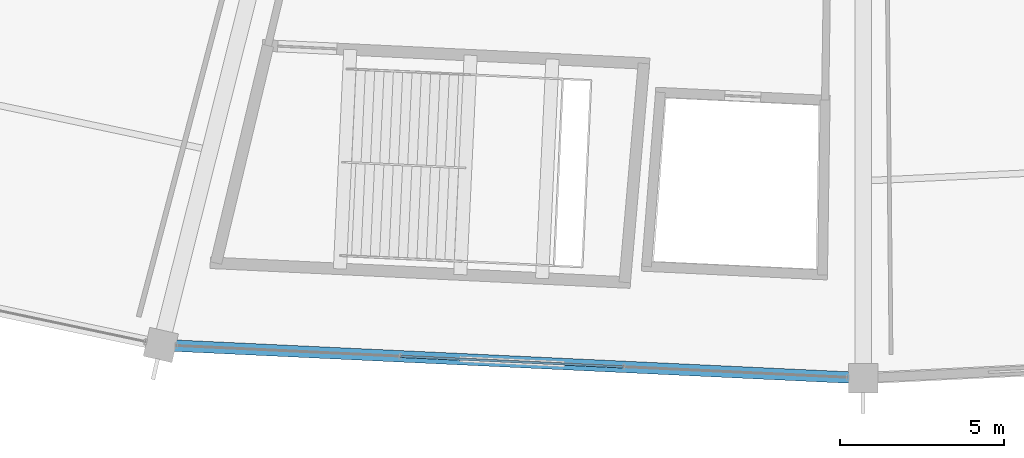
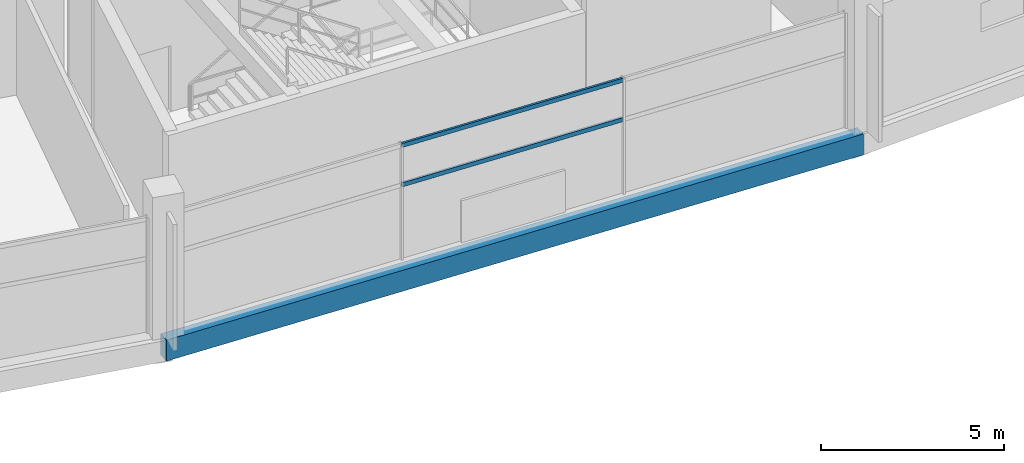
# One storey, part 18 of 156: 2 members, 1 beam, 1 element without a shape of its own.
"""IFC4 building model written with IfcOpenShell, lengths in metres."""

from ifc_helpers import new_model, si_unit, direction, frame, origin, origin_2d, place, context, subcontext, project, spatial, rectangle, hollow_rectangle, extrude, material, layer, layer_set, material_profile, profile_set, type_object, element, aggregate, save


model = new_model("IFC4")

# Units and contexts
model_context = context("Model", 3, precision=1e-05, world=origin(), true_north=direction((0.0, 1.0)))
body_context = subcontext(model_context, "Body", "Model", "MODEL_VIEW")
ifc_project = project(units=[si_unit("LENGTHUNIT", "METRE"), si_unit("AREAUNIT", "SQUARE_METRE"), si_unit("VOLUMEUNIT", "CUBIC_METRE"), si_unit("PLANEANGLEUNIT", "RADIAN"), si_unit("MASSUNIT", "GRAM", prefix="KILO")], contexts=[model_context])

# Site, building, storey
site_placement = place(None, origin())
site = spatial("IfcSite", under=ifc_project, at=site_placement, CompositionType="ELEMENT")
building_placement = place(site_placement, origin())
building = spatial("IfcBuilding", under=site, at=building_placement, Name="Kazemori Nagisa Stadium", CompositionType="ELEMENT")
storey_placement = place(building_placement, frame((0.0, 0.0, 5.780029296875)))
storey = spatial("IfcBuildingStorey", under=building, at=storey_placement, Name="L01", CompositionType="ELEMENT", Elevation=5.780029296875)

# Beam
ifc_material_1 = material(Name="Concrete C40/50 (Fc42)", Category="concrete")
ifc_material_profile_1 = material_profile(ifc_material_1, rectangle(XDim=0.35009765625, YDim=0.699951171875, at=origin_2d()), Name="RC-SP-350x700")
ifc_profile_set_1 = profile_set([ifc_material_profile_1], Name="Concrete C40/50 (Fc42)")
beam_type = type_object("IfcBeamType", Name="Beam_BS-RC350X700", PredefinedType="SPANDREL", material=ifc_profile_set_1)
beam_placement = place(storey_placement, frame((101.572265625, 17.01318359375, -0.630126953125), z_axis=(0.998883994571, -0.047230979144, 0.0), x_axis=(0.047230979144, 0.998883994571, 0.0)))
element("IfcBeam", 1, at=beam_placement, inside=storey, type_object=beam_type, Name="Ring girder BS-RC350X700 L01 R3-21", PredefinedType="SPANDREL", context=body_context, shape_type="SweptSolid", body=[
    extrude(rectangle(XDim=0.35009765625, YDim=0.699951171875, at=origin_2d()), origin(), (0.0, 0.0, 1.0), 21.45166015625),
])

# Curtain wall, members
ifc_material_2 = material(Name="Anodised aluminium 6063-T5", Category="aluminium")
ifc_layer = layer(ifc_material_2, 0.179931640625, Name="Anodised aluminium 6063-T5", Category="aluminium")
ifc_layer_set = layer_set([ifc_layer], Name="Anodised aluminium 6063-T5")
curtain_wall_type = type_object("IfcCurtainWallType", Name="CW_L01R3_103", PredefinedType="USERDEFINED", material=ifc_layer_set)
curtain_wall_placement = place(storey_placement, origin())
curtain_wall = element("IfcCurtainWall", 2, at=curtain_wall_placement, inside=storey, type_object=curtain_wall_type, Name="Unitised curtain wall CW-L01R3-103 L01", ObjectType="UNITISED CURTAIN WALL", PredefinedType="USERDEFINED")
ifc_material_3 = material(Name="Aluminium 6063-T5 anodised", Category="aluminium")
ifc_material_profile_2 = material_profile(ifc_material_3, hollow_rectangle(XDim=0.070068359375, YDim=0.139892578125, WallThickness=0.00390625, at=origin_2d()), Name="ALU-TRAN-70x140x4")
ifc_profile_set_2 = profile_set([ifc_material_profile_2], Name="Aluminium 6063-T5 anodised")
member_type = type_object("IfcMemberType", Name="Transom_T01", PredefinedType="USERDEFINED", material=ifc_profile_set_2)
member_1_placement = place(storey_placement, frame((108.89306640625, 16.6669921875, 2.4638671875), z_axis=(0.998884501545, -0.047220255973, 0.0), x_axis=(0.047220255973, 0.998884501545, 0.0)))
member_1 = element("IfcMember", 3, at=member_1_placement, type_object=member_type, Name="Curtain wall transom CW-L01R3-103-T2-mid", ObjectType="TRANSOM", PredefinedType="USERDEFINED", context=body_context, shape_type="SweptSolid", body=[
    extrude(hollow_rectangle(XDim=0.070068359375, YDim=0.139892578125, WallThickness=0.00390625, at=origin_2d()), origin(), (0.0, 0.0, 1.0), 6.793701171875),
])
member_2_placement = place(storey_placement, frame((108.89306640625, 16.6669921875, 3.780029296875), z_axis=(0.998884501545, -0.047220255973, 0.0), x_axis=(0.047220255973, 0.998884501545, 0.0)))
member_2 = element("IfcMember", 4, at=member_2_placement, type_object=member_type, Name="Curtain wall transom CW-L01R3-103-T2-head", ObjectType="TRANSOM", PredefinedType="USERDEFINED", context=body_context, shape_type="SweptSolid", body=[
    extrude(hollow_rectangle(XDim=0.070068359375, YDim=0.139892578125, WallThickness=0.00390625, at=origin_2d()), origin(), (0.0, 0.0, 1.0), 6.793701171875),
])
aggregate(curtain_wall, [member_1, member_2])

save(model, "model.ifc")
